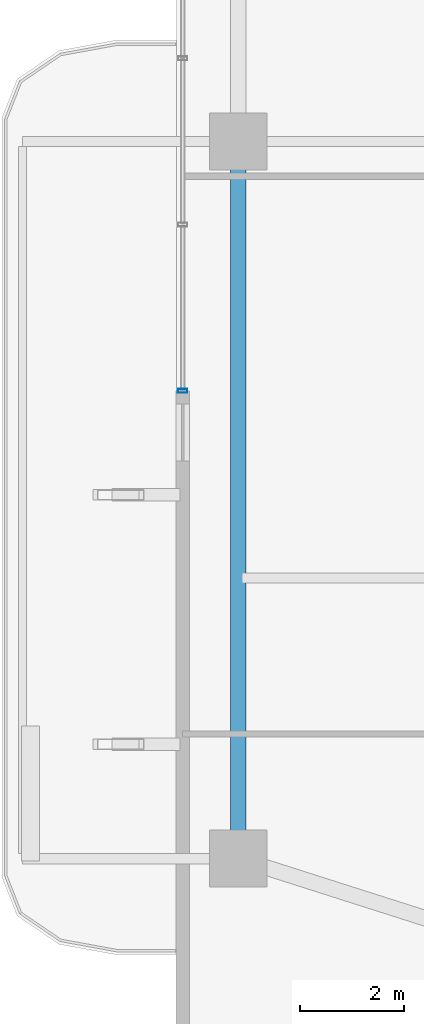
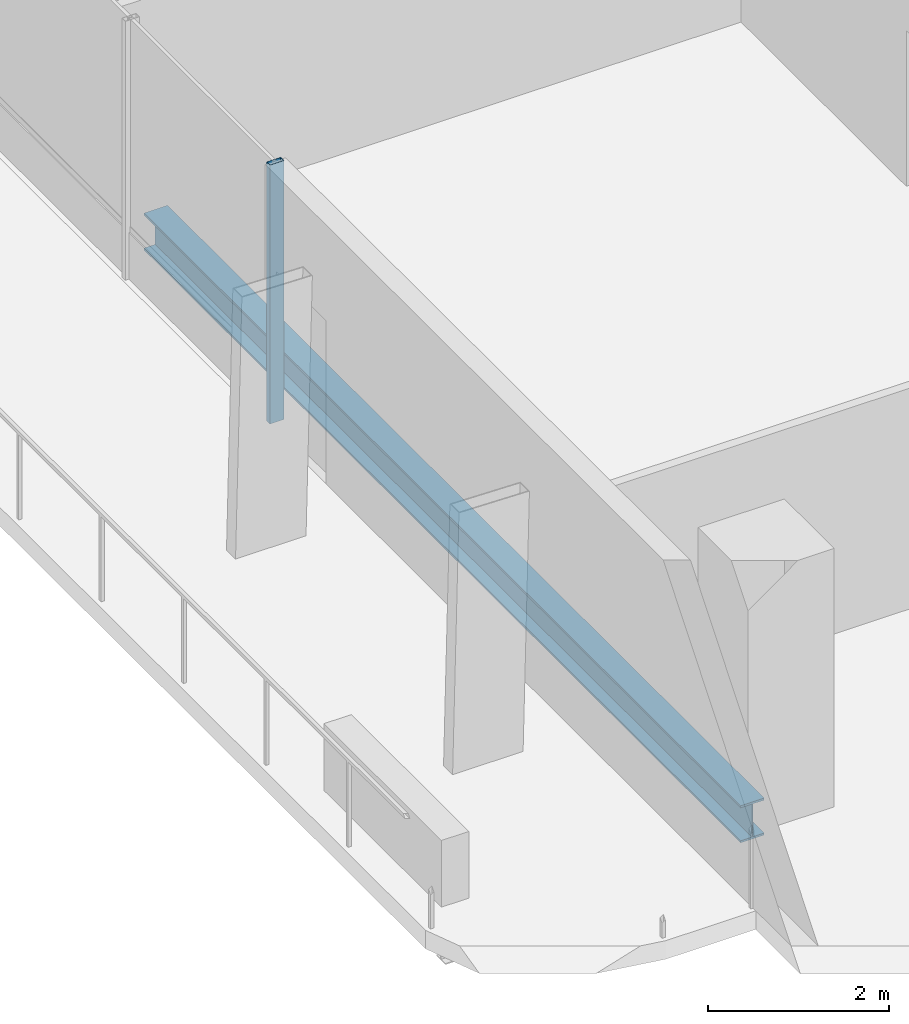
# One storey, part 4 of 25: 1 beam, 1 member, 1 element without a shape of its own.
"""IFC4 building model written with IfcOpenShell, lengths in metres."""

from ifc_helpers import new_model, si_unit, direction, frame, origin, origin_2d, place, context, subcontext, project, spatial, hollow_rectangle, i_section, extrude, material, layer, layer_set, material_profile, profile_set, type_object, element, aggregate, save


model = new_model("IFC4")

# Units and contexts
model_context = context("Model", 3, precision=1e-05, world=origin(), true_north=direction((0.0, 1.0)))
body_context = subcontext(model_context, "Body", "Model", "MODEL_VIEW")
ifc_project = project(units=[si_unit("LENGTHUNIT", "METRE"), si_unit("AREAUNIT", "SQUARE_METRE"), si_unit("VOLUMEUNIT", "CUBIC_METRE"), si_unit("PLANEANGLEUNIT", "RADIAN"), si_unit("MASSUNIT", "GRAM", prefix="KILO")], contexts=[model_context])

# Site, building, storey
site_placement = place(None, origin())
site = spatial("IfcSite", under=ifc_project, at=site_placement, CompositionType="ELEMENT")
building_placement = place(site_placement, origin())
building = spatial("IfcBuilding", under=site, at=building_placement, Name="Belovzor Exchange Tower", CompositionType="ELEMENT")
storey_placement = place(building_placement, frame((0.0, 0.0, 164.550048828125)))
storey = spatial("IfcBuildingStorey", under=building, at=storey_placement, Name="L40", CompositionType="ELEMENT", Elevation=164.550048828125)

# Curtain wall, member
ifc_material_1 = material(Name="Anodised Aluminium Framing", Category="aluminium")
ifc_layer = layer(ifc_material_1, 0.179931640625)
ifc_layer_set = layer_set([ifc_layer], Name="Anodised Aluminium Framing")
curtain_wall_type = type_object("IfcCurtainWallType", Name="Recessed Loggia Low-Iron Triple-Glazed Curtain Wall", PredefinedType="NOTDEFINED", material=ifc_layer_set)
curtain_wall_placement = place(storey_placement, origin())
curtain_wall = element("IfcCurtainWall", 1, at=curtain_wall_placement, inside=storey, type_object=curtain_wall_type, Name="CW3 Recessed Loggia Low-Iron Triple-Glazed Curtain Wall L40", PredefinedType="NOTDEFINED")
ifc_material_2 = material(Name="Steel S355", Category="steel")
ifc_material_profile_1 = material_profile(ifc_material_2, hollow_rectangle(XDim=0.074951171875, YDim=0.179931640625, WallThickness=0.0048828125, at=origin_2d()))
ifc_profile_set_1 = profile_set([ifc_material_profile_1], Name="Steel S355")
member_type = type_object("IfcMemberType", Name="Thermally Broken Curtain Wall Mullion 180x75", PredefinedType="MULLION", material=ifc_profile_set_1)
member_placement = place(storey_placement, frame((4.6298828125, 24.0, 0.0), z_axis=(0.0, 0.0, 1.0), x_axis=(0.0, 1.0, 0.0)))
member = element("IfcMember", 2, at=member_placement, type_object=member_type, Name="CW-M180 Curtain Wall Mullion 1", PredefinedType="MULLION", context=body_context, shape_type="SweptSolid", body=[
    extrude(hollow_rectangle(XDim=0.074951171875, YDim=0.179931640625, WallThickness=0.0048828125, at=origin_2d()), origin(), (0.0, 0.0, 1.0), 3.494873046875),
])
aggregate(curtain_wall, [member])

# Beam
ifc_material_3 = material(Name="Steel S355", Category="steel")
ifc_material_profile_2 = material_profile(ifc_material_3, i_section(OverallWidth=0.300048828125, OverallDepth=0.5, WebThickness=0.014404296875, FlangeThickness=0.028076171875, at=origin_2d()))
ifc_profile_set_2 = profile_set([ifc_material_profile_2], Name="Steel S355")
beam_type = type_object("IfcBeamType", Name="Zone 3 Waist Primary Girder HEB 500", PredefinedType="BEAM", material=ifc_profile_set_2)
beam_placement = place(storey_placement, frame((5.699951171875, 28.498046875, -0.505126953125), z_axis=(0.0, -1.0, 0.0), x_axis=(1.0, 0.0, 0.0)))
element("IfcBeam", 3, at=beam_placement, inside=storey, type_object=beam_type, Name="FG-Z3 Zone 3 Waist Primary Girder HEB 500", PredefinedType="BEAM", context=body_context, shape_type="SweptSolid", body=[
    extrude(i_section(OverallWidth=0.300048828125, OverallDepth=0.5, WebThickness=0.014404296875, FlangeThickness=0.028076171875, at=origin_2d()), origin(), (0.0, 0.0, 1.0), 13.195068359375),
])

save(model, "model.ifc")
